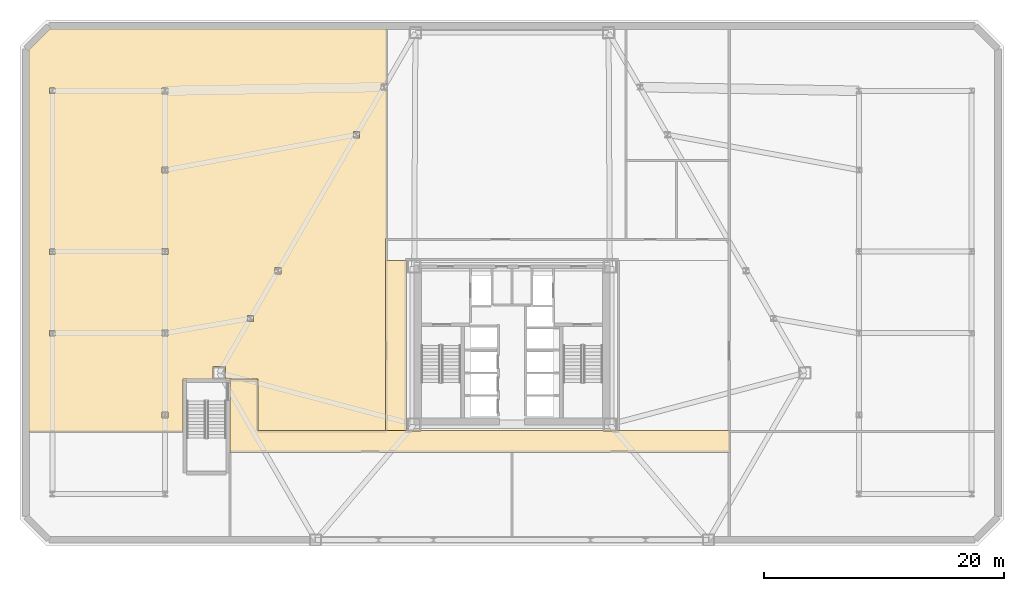
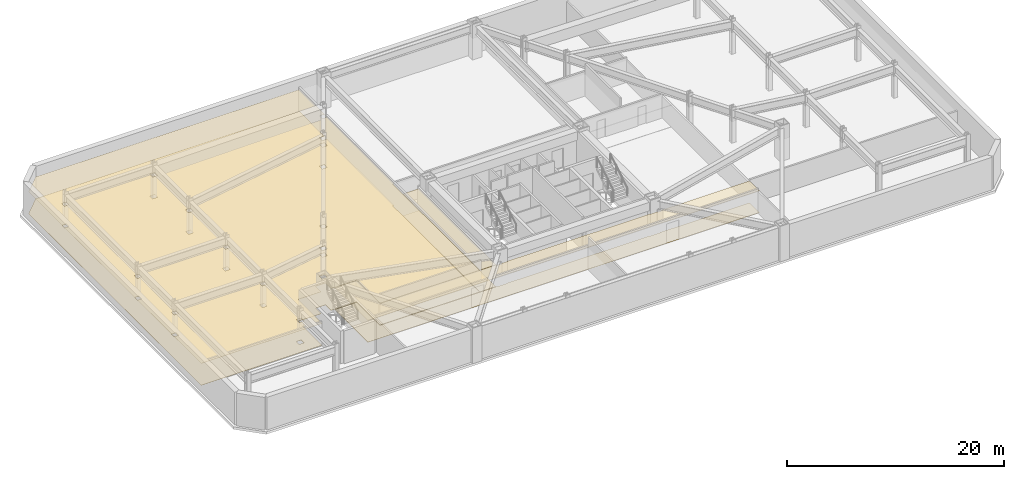
# One storey, part 8 of 10: 6 coverings.
"""IFC4 building model written with IfcOpenShell, lengths in metres."""

from ifc_helpers import new_model, si_unit, direction, frame, origin, place, context, subcontext, project, spatial, polyline, outline, extrude, material, layer, layer_set, type_object, element, save


model = new_model("IFC4")

# Units and contexts
model_context = context("Model", 3, precision=1e-05, world=origin(), true_north=direction((0.0, 1.0)))
body_context = subcontext(model_context, "Body", "Model", "MODEL_VIEW")
ifc_project = project(units=[si_unit("LENGTHUNIT", "METRE"), si_unit("AREAUNIT", "SQUARE_METRE"), si_unit("VOLUMEUNIT", "CUBIC_METRE"), si_unit("PLANEANGLEUNIT", "RADIAN"), si_unit("MASSUNIT", "GRAM", prefix="KILO")], contexts=[model_context])

# Site, building, storey
site_placement = place(None, origin())
site = spatial("IfcSite", under=ifc_project, at=site_placement, CompositionType="ELEMENT")
building_placement = place(site_placement, origin())
building = spatial("IfcBuilding", under=site, at=building_placement, Name="Oramaril Tower", CompositionType="ELEMENT")
storey_placement = place(building_placement, frame((0.0, 0.0, -4.0)))
storey = spatial("IfcBuildingStorey", under=building, at=storey_placement, Name="B01", CompositionType="ELEMENT", Elevation=-4.0)

# Coverings
ifc_material_1 = material(Name="Mineral Fibre Acoustic Ceiling")
ifc_layer_1 = layer(ifc_material_1, 0.02001953125)
ifc_layer_set_1 = layer_set([ifc_layer_1], Name="CVT-CEIL")
covering_type_1 = type_object("IfcCoveringType", Name="CVT-CEIL", PredefinedType="CEILING", material=ifc_layer_set_1)
covering_1_placement = place(storey_placement, frame((0.0, 0.0, 2.4619140625)))
element("IfcCovering", 1, at=covering_1_placement, inside=storey, type_object=covering_type_1, Name="B01 Acoustic Suspended Ceiling 1", PredefinedType="CEILING", context=body_context, shape_type="SweptSolid", body=[
    extrude(outline(polyline([(28.780029296875, 10.47998046875), (28.780029296875, 10.429931640625), (29.919921875, 10.429931640625), (29.919921875, 10.47998046875), (45.080078125, 10.47998046875), (45.080078125, 10.429931640625), (46.219970703125, 10.429931640625), (46.219970703125, 10.47998046875), (55.679931640625, 10.47998046875), (55.679931640625, 8.669921875), (14.0, 8.669921875), (14.0, 14.760009765625), (16.330078125, 14.760009765625), (16.330078125, 10.47998046875), (28.780029296875, 10.47998046875)])), origin(), (0.0, 0.0, 1.0), 0.02001953125),
])
covering_2_placement = place(storey_placement, frame((0.0, 0.0, 2.4619140625)))
element("IfcCovering", 2, at=covering_2_placement, inside=storey, type_object=covering_type_1, Name="B01 Acoustic Suspended Ceiling 3", PredefinedType="CEILING", context=body_context, shape_type="SweptSolid", body=[
    extrude(outline(polyline([(28.699951171875, 10.5), (26.969970703125, 10.5), (26.969970703125, 24.64990234375), (28.699951171875, 24.64990234375), (28.699951171875, 10.5)])), origin(), (0.0, 0.0, 1.0), 0.02001953125),
])
covering_3_placement = place(storey_placement, frame((0.0, 0.0, 2.4619140625)))
element("IfcCovering", 3, at=covering_3_placement, inside=storey, type_object=covering_type_1, Name="B01 Acoustic Suspended Ceiling 7", PredefinedType="CEILING", context=body_context, shape_type="SweptSolid", body=[
    extrude(outline(polyline([(14.0, 14.800048828125), (13.609619140625, 14.800048828125), (13.609619140625, 15.820068359375), (12.569580078125, 15.820068359375), (12.569580078125, 14.800048828125), (10.10009765625, 14.800048828125), (10.10009765625, 10.35791015625), (-2.761962890625, 10.35791015625), (-2.761962890625, 42.1943359375), (-0.994384765625, 43.9619140625), (27.092041015625, 43.9619140625), (27.092041015625, 26.5), (26.969970703125, 26.5), (26.968017578125, 26.5), (26.966064453125, 26.49951171875), (26.964111328125, 26.4990234375), (26.96240234375, 26.49853515625), (26.960693359375, 26.49755859375), (26.958984375, 26.49658203125), (26.957275390625, 26.49560546875), (26.955810546875, 26.494140625), (26.95458984375, 26.49267578125), (26.953369140625, 26.4912109375), (26.952392578125, 26.489501953125), (26.951416015625, 26.48779296875), (26.950927734375, 26.48583984375), (26.950439453125, 26.48388671875), (26.9501953125, 26.48193359375), (26.949951171875, 26.47998046875), (26.949951171875, 24.669921875), (26.9501953125, 24.66796875), (26.950439453125, 24.666015625), (26.950927734375, 24.664306640625), (26.951416015625, 24.662353515625), (26.952392578125, 24.66064453125), (26.95263671875, 24.659912109375), (26.952392578125, 24.659423828125), (26.951416015625, 24.65771484375), (26.950927734375, 24.65576171875), (26.950439453125, 24.65380859375), (26.9501953125, 24.652099609375), (26.949951171875, 24.64990234375), (26.949951171875, 10.5), (16.35009765625, 10.5), (16.35009765625, 14.760009765625), (16.349853515625, 14.761962890625), (16.349609375, 14.763916015625), (16.34912109375, 14.765869140625), (16.348388671875, 14.767578125), (16.34765625, 14.769287109375), (16.3466796875, 14.77099609375), (16.345458984375, 14.772705078125), (16.343994140625, 14.774169921875), (16.3427734375, 14.775390625), (16.341064453125, 14.776611328125), (16.33935546875, 14.777587890625), (16.337646484375, 14.778564453125), (16.335693359375, 14.779052734375), (16.333984375, 14.779541015625), (16.33203125, 14.77978515625), (16.330078125, 14.780029296875), (14.0, 14.780029296875), (14.0, 14.800048828125)]), holes=[polyline([(8.8525390625, 12.052490234375), (8.347412109375, 12.052490234375), (8.347412109375, 11.547607421875), (8.8525390625, 11.547607421875), (8.8525390625, 12.052490234375)]), polyline([(-0.56298828125, 18.363037109375), (-0.56298828125, 18.8369140625), (-1.037109375, 18.8369140625), (-1.037109375, 18.363037109375), (-0.56298828125, 18.363037109375)]), polyline([(8.8525390625, 18.8525390625), (8.347412109375, 18.8525390625), (8.347412109375, 18.347412109375), (8.8525390625, 18.347412109375), (8.8525390625, 18.8525390625)]), polyline([(15.960205078125, 19.581787109375), (15.960205078125, 20.0869140625), (15.455078125, 20.0869140625), (15.455078125, 19.581787109375), (15.960205078125, 19.581787109375)]), polyline([(18.250732421875, 23.549560546875), (18.250732421875, 24.054443359375), (17.745849609375, 24.054443359375), (17.745849609375, 23.549560546875), (18.250732421875, 23.549560546875)]), polyline([(-0.56298828125, 25.636962890625), (-1.037109375, 25.636962890625), (-1.037109375, 25.1630859375), (-0.56298828125, 25.1630859375), (-0.56298828125, 25.636962890625)]), polyline([(8.8525390625, 25.1474609375), (8.8525390625, 25.652587890625), (8.347412109375, 25.652587890625), (8.347412109375, 25.1474609375), (8.8525390625, 25.1474609375)]), polyline([(8.8525390625, 31.947509765625), (8.8525390625, 32.452392578125), (8.347412109375, 32.452392578125), (8.347412109375, 31.947509765625), (8.8525390625, 31.947509765625)]), polyline([(-0.56298828125, 39.037109375), (-1.037109375, 39.037109375), (-1.037109375, 38.56298828125), (-0.56298828125, 38.56298828125), (-0.56298828125, 39.037109375)]), polyline([(8.8525390625, 38.547607421875), (8.8525390625, 39.052490234375), (8.347412109375, 39.052490234375), (8.347412109375, 38.547607421875), (8.8525390625, 38.547607421875)]), polyline([(24.795654296875, 34.885498046875), (24.795654296875, 35.390380859375), (24.290771484375, 35.390380859375), (24.290771484375, 34.885498046875), (24.795654296875, 34.885498046875)]), polyline([(27.08642578125, 38.85302734375), (27.08642578125, 39.358154296875), (26.581298828125, 39.358154296875), (26.581298828125, 38.85302734375), (27.08642578125, 38.85302734375)])]), origin(), (0.0, 0.0, 1.0), 0.02001953125),
])
ifc_material_2 = material(Name="Honed Quartzite Stone Flooring", Category="masonry")
ifc_layer_2 = layer(ifc_material_2, 0.02490234375)
ifc_layer_set_2 = layer_set([ifc_layer_2], Name="CVT-FLR")
covering_type_2 = type_object("IfcCoveringType", Name="CVT-FLR", PredefinedType="FLOORING", material=ifc_layer_set_2)
covering_4_placement = place(storey_placement, origin())
element("IfcCovering", 4, at=covering_4_placement, inside=storey, type_object=covering_type_2, Name="B01 Honed Stone Floor Finish 1", PredefinedType="FLOORING", context=body_context, shape_type="SweptSolid", body=[
    extrude(outline(polyline([(28.780029296875, 10.47998046875), (28.780029296875, 10.429931640625), (29.919921875, 10.429931640625), (29.919921875, 10.47998046875), (45.080078125, 10.47998046875), (45.080078125, 10.429931640625), (46.219970703125, 10.429931640625), (46.219970703125, 10.47998046875), (55.679931640625, 10.47998046875), (55.679931640625, 8.669921875), (14.0, 8.669921875), (14.0, 14.760009765625), (16.330078125, 14.760009765625), (16.330078125, 10.47998046875), (28.780029296875, 10.47998046875)])), origin(), (0.0, 0.0, 1.0), 0.02490234375),
])
covering_5_placement = place(storey_placement, origin())
element("IfcCovering", 5, at=covering_5_placement, inside=storey, type_object=covering_type_2, Name="B01 Honed Stone Floor Finish 3", PredefinedType="FLOORING", context=body_context, shape_type="SweptSolid", body=[
    extrude(outline(polyline([(28.699951171875, 10.5), (26.969970703125, 10.5), (26.969970703125, 24.64990234375), (28.699951171875, 24.64990234375), (28.699951171875, 10.5)])), origin(), (0.0, 0.0, 1.0), 0.02490234375),
])
covering_6_placement = place(storey_placement, origin())
element("IfcCovering", 6, at=covering_6_placement, inside=storey, type_object=covering_type_2, Name="B01 Honed Stone Floor Finish 7", PredefinedType="FLOORING", context=body_context, shape_type="SweptSolid", body=[
    extrude(outline(polyline([(14.0, 14.800048828125), (13.609619140625, 14.800048828125), (13.609619140625, 15.820068359375), (12.569580078125, 15.820068359375), (12.569580078125, 14.800048828125), (10.10009765625, 14.800048828125), (10.10009765625, 10.35791015625), (-2.761962890625, 10.35791015625), (-2.761962890625, 42.1943359375), (-0.994384765625, 43.9619140625), (27.092041015625, 43.9619140625), (27.092041015625, 26.5), (26.969970703125, 26.5), (26.968017578125, 26.5), (26.966064453125, 26.49951171875), (26.964111328125, 26.4990234375), (26.96240234375, 26.49853515625), (26.960693359375, 26.49755859375), (26.958984375, 26.49658203125), (26.957275390625, 26.49560546875), (26.955810546875, 26.494140625), (26.95458984375, 26.49267578125), (26.953369140625, 26.4912109375), (26.952392578125, 26.489501953125), (26.951416015625, 26.48779296875), (26.950927734375, 26.48583984375), (26.950439453125, 26.48388671875), (26.9501953125, 26.48193359375), (26.949951171875, 26.47998046875), (26.949951171875, 24.669921875), (26.9501953125, 24.66796875), (26.950439453125, 24.666015625), (26.950927734375, 24.664306640625), (26.951416015625, 24.662353515625), (26.952392578125, 24.66064453125), (26.95263671875, 24.659912109375), (26.952392578125, 24.659423828125), (26.951416015625, 24.65771484375), (26.950927734375, 24.65576171875), (26.950439453125, 24.65380859375), (26.9501953125, 24.652099609375), (26.949951171875, 24.64990234375), (26.949951171875, 10.5), (16.35009765625, 10.5), (16.35009765625, 14.760009765625), (16.349853515625, 14.761962890625), (16.349609375, 14.763916015625), (16.34912109375, 14.765869140625), (16.348388671875, 14.767578125), (16.34765625, 14.769287109375), (16.3466796875, 14.77099609375), (16.345458984375, 14.772705078125), (16.343994140625, 14.774169921875), (16.3427734375, 14.775390625), (16.341064453125, 14.776611328125), (16.33935546875, 14.777587890625), (16.337646484375, 14.778564453125), (16.335693359375, 14.779052734375), (16.333984375, 14.779541015625), (16.33203125, 14.77978515625), (16.330078125, 14.780029296875), (14.0, 14.780029296875), (14.0, 14.800048828125)]), holes=[polyline([(8.8525390625, 12.052490234375), (8.347412109375, 12.052490234375), (8.347412109375, 11.547607421875), (8.8525390625, 11.547607421875), (8.8525390625, 12.052490234375)]), polyline([(-0.56298828125, 18.363037109375), (-0.56298828125, 18.8369140625), (-1.037109375, 18.8369140625), (-1.037109375, 18.363037109375), (-0.56298828125, 18.363037109375)]), polyline([(8.8525390625, 18.8525390625), (8.347412109375, 18.8525390625), (8.347412109375, 18.347412109375), (8.8525390625, 18.347412109375), (8.8525390625, 18.8525390625)]), polyline([(15.960205078125, 19.581787109375), (15.960205078125, 20.0869140625), (15.455078125, 20.0869140625), (15.455078125, 19.581787109375), (15.960205078125, 19.581787109375)]), polyline([(18.250732421875, 23.549560546875), (18.250732421875, 24.054443359375), (17.745849609375, 24.054443359375), (17.745849609375, 23.549560546875), (18.250732421875, 23.549560546875)]), polyline([(-0.56298828125, 25.636962890625), (-1.037109375, 25.636962890625), (-1.037109375, 25.1630859375), (-0.56298828125, 25.1630859375), (-0.56298828125, 25.636962890625)]), polyline([(8.8525390625, 25.1474609375), (8.8525390625, 25.652587890625), (8.347412109375, 25.652587890625), (8.347412109375, 25.1474609375), (8.8525390625, 25.1474609375)]), polyline([(8.8525390625, 31.947509765625), (8.8525390625, 32.452392578125), (8.347412109375, 32.452392578125), (8.347412109375, 31.947509765625), (8.8525390625, 31.947509765625)]), polyline([(-0.56298828125, 39.037109375), (-1.037109375, 39.037109375), (-1.037109375, 38.56298828125), (-0.56298828125, 38.56298828125), (-0.56298828125, 39.037109375)]), polyline([(8.8525390625, 38.547607421875), (8.8525390625, 39.052490234375), (8.347412109375, 39.052490234375), (8.347412109375, 38.547607421875), (8.8525390625, 38.547607421875)]), polyline([(24.795654296875, 34.885498046875), (24.795654296875, 35.390380859375), (24.290771484375, 35.390380859375), (24.290771484375, 34.885498046875), (24.795654296875, 34.885498046875)]), polyline([(27.08642578125, 38.85302734375), (27.08642578125, 39.358154296875), (26.581298828125, 39.358154296875), (26.581298828125, 38.85302734375), (27.08642578125, 38.85302734375)])]), origin(), (0.0, 0.0, 1.0), 0.02490234375),
])

save(model, "model.ifc")
